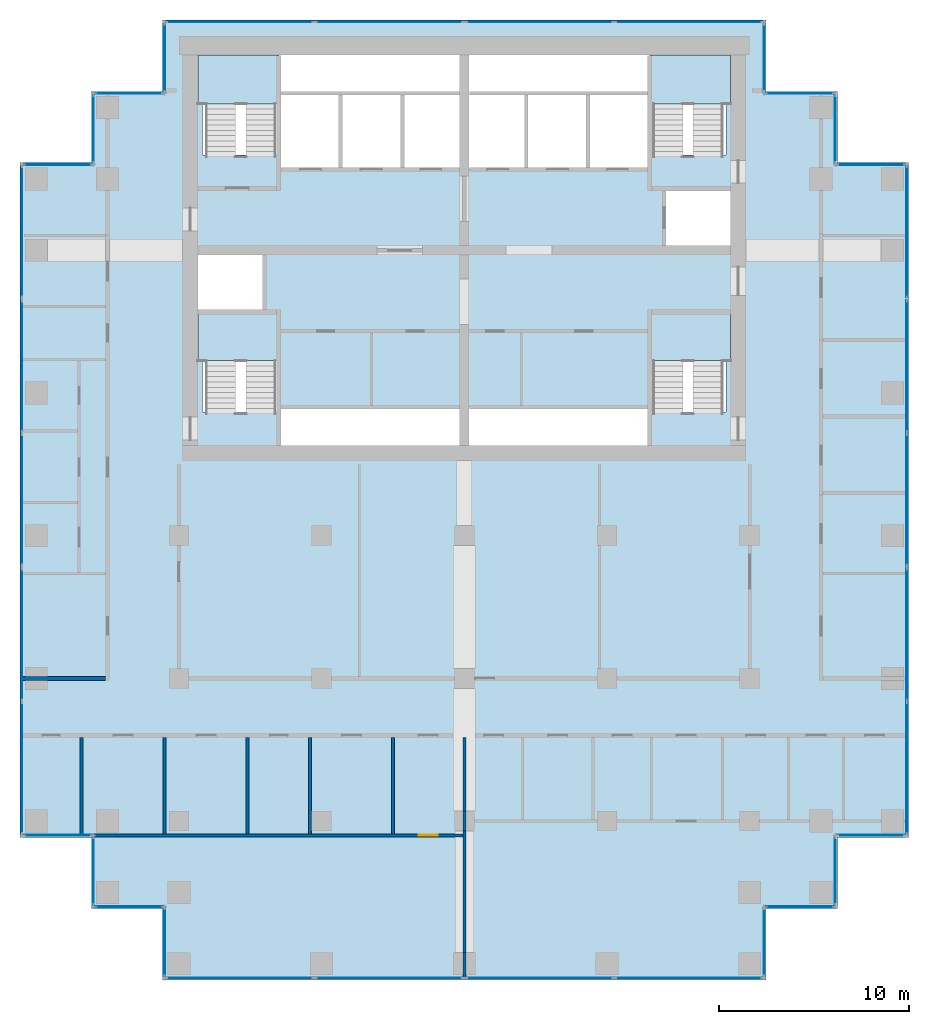
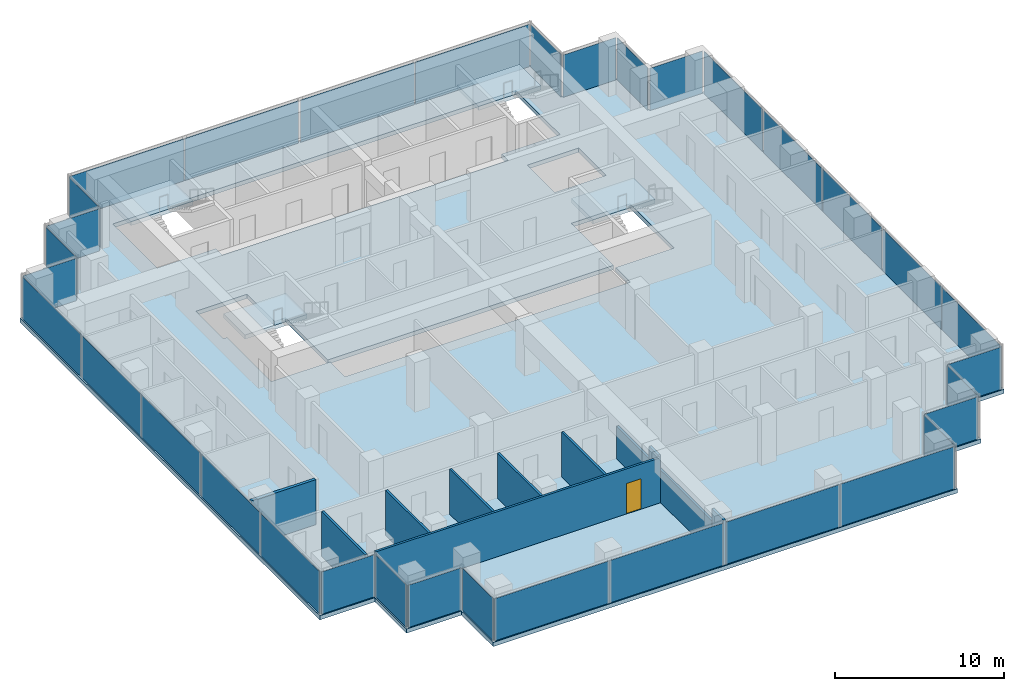
# One storey, part 6 of 10: 34 plates, 11 walls, 5 slabs, 1 door, 1 opening, 30 elements without a shape of their own.
"""IFC4 building model written with IfcOpenShell, lengths in metres."""

from ifc_helpers import new_model, si_unit, direction, frame, frame_2d, origin, origin_2d, place, context, subcontext, project, spatial, polyline, rectangle, outline, extrude, material, layer, layer_set, type_object, element, fill, aggregate, save


model = new_model("IFC4")

# Units and contexts
model_context = context("Model", 3, precision=1e-05, world=origin(), true_north=direction((0.0, 1.0)))
body_context = subcontext(model_context, "Body", "Model", "MODEL_VIEW")
ifc_project = project(units=[si_unit("LENGTHUNIT", "METRE"), si_unit("AREAUNIT", "SQUARE_METRE"), si_unit("VOLUMEUNIT", "CUBIC_METRE"), si_unit("PLANEANGLEUNIT", "RADIAN"), si_unit("MASSUNIT", "GRAM", prefix="KILO")], contexts=[model_context])

# Site, building, storey
site_placement = place(None, origin())
site = spatial("IfcSite", under=ifc_project, at=site_placement, CompositionType="ELEMENT")
building_placement = place(site_placement, origin())
building = spatial("IfcBuilding", under=site, at=building_placement, Name="Pilkhan Gate Tower", CompositionType="ELEMENT")
storey_placement = place(building_placement, frame((0.0, 0.0, 180.10009765625)))
storey = spatial("IfcBuildingStorey", under=building, at=storey_placement, Name="L46", CompositionType="ELEMENT", Elevation=180.10009765625)

# Slab
ifc_material_1 = material(Name="Concrete C40/50", Category="concrete")
ifc_layer_1 = layer(ifc_material_1, 0.300048828125)
ifc_layer_set_1 = layer_set([ifc_layer_1], Name="Flat plate slab FP300")
slab_type_1 = type_object("IfcSlabType", Name="Flat plate slab FP300", PredefinedType="FLOOR", material=ifc_layer_set_1)
slab_1_placement = place(storey_placement, frame((0.0, 0.0, -0.300048828125)))
element("IfcSlab", 1, at=slab_1_placement, inside=storey, type_object=slab_type_1, Name="Floor slab L46", PredefinedType="FLOOR", context=body_context, shape_type="SweptSolid", body=[
    extrude(outline(polyline([(94.60009765625, 47.89990234375), (90.85009765625, 47.89990234375), (90.85009765625, 44.14990234375), (59.14990234375, 44.14990234375), (59.14990234375, 47.89990234375), (55.39990234375, 47.89990234375), (55.39990234375, 51.64990234375), (51.64990234375, 51.64990234375), (51.64990234375, 87.10009765625), (55.39990234375, 87.10009765625), (55.39990234375, 90.85009765625), (59.14990234375, 90.85009765625), (59.14990234375, 94.60009765625), (90.85009765625, 94.60009765625), (90.85009765625, 90.85009765625), (94.60009765625, 90.85009765625), (94.60009765625, 87.10009765625), (98.35009765625, 87.10009765625), (98.35009765625, 51.64990234375), (94.60009765625, 51.64990234375), (94.60009765625, 47.89990234375)]), holes=[polyline([(75.0, 72.25), (84.75, 72.25), (84.75, 74.0), (88.75, 74.0), (88.75, 79.25), (84.75, 79.25), (84.75, 74.25), (75.0, 74.25), (65.25, 74.25), (65.25, 79.25), (64.5, 79.25), (64.5, 82.5), (61.25, 82.5), (61.0, 82.5), (61.0, 79.25), (61.25, 79.25), (61.25, 74.0), (65.25, 74.0), (65.25, 72.25), (75.0, 72.25)]), polyline([(68.5, 86.75), (71.75, 86.75), (75.0, 86.75), (78.25, 86.75), (81.5, 86.75), (84.75, 86.75), (84.75, 87.5), (88.75, 87.5), (88.75, 92.75), (84.75, 92.75), (75.0, 92.75), (65.25, 92.75), (61.25, 92.75), (61.25, 87.5), (65.25, 87.5), (65.25, 86.75), (68.5, 86.75)]), polyline([(85.5, 85.75), (85.5, 82.5), (88.75, 82.5), (89.0, 82.5), (89.0, 85.75), (88.75, 85.75), (85.5, 85.75)])]), origin(), (0.0, 0.0, 1.0), 0.300048828125),
])

# Curtain wall, plates
ifc_material_2 = material(Name="Pale anodised aluminium, clear low-iron double glazing", Category="aluminium")
curtain_wall_type = type_object("IfcCurtainWallType", Name="Office unitised curtain wall CW-O1", PredefinedType="USERDEFINED", material=ifc_material_2)
curtain_wall_1_placement = place(storey_placement, origin())
curtain_wall_1 = element("IfcCurtainWall", 2, at=curtain_wall_1_placement, inside=storey, type_object=curtain_wall_type, Name="Office unitised curtain wall CW-O1 L46 E", ObjectType="UNITISED CURTAIN WALL", PredefinedType="USERDEFINED")
ifc_material_3 = material(Name="Clear low-iron double glazing", Category="glass")
ifc_layer_2 = layer(ifc_material_3, 0.0400390625)
ifc_layer_set_2 = layer_set([ifc_layer_2], Name="Glass panel CW-O1 40")
plate_type = type_object("IfcPlateType", Name="Glass panel CW-O1 40", PredefinedType="CURTAIN_PANEL", material=ifc_layer_set_2)
plate_1_placement = place(storey_placement, frame((98.25, 55.29248046875, 0.0), z_axis=(0.0, 0.0, 1.0), x_axis=(0.0, 1.0, 0.0)))
plate_1 = element("IfcPlate", 3, at=plate_1_placement, type_object=plate_type, Name="CW-O1 panel 1", PredefinedType="CURTAIN_PANEL", context=body_context, shape_type="SweptSolid", body=[
    extrude(rectangle(XDim=6.945068359375, YDim=0.0400390625, at=origin_2d()), origin(), (0.0, 0.0, 1.0), 3.050048828125),
])
plate_2_placement = place(storey_placement, frame((98.25, 62.3076171875, 0.0), z_axis=(0.0, 0.0, 1.0), x_axis=(0.0, 1.0, 0.0)))
plate_2 = element("IfcPlate", 4, at=plate_2_placement, type_object=plate_type, Name="CW-O1 panel 2", PredefinedType="CURTAIN_PANEL", context=body_context, shape_type="SweptSolid", body=[
    extrude(rectangle(XDim=6.945068359375, YDim=0.0400390625, at=origin_2d()), origin(), (0.0, 0.0, 1.0), 3.050048828125),
])
aggregate(curtain_wall_1, [plate_1, plate_2])

curtain_wall_2_placement = place(storey_placement, origin())
curtain_wall_2 = element("IfcCurtainWall", 5, at=curtain_wall_2_placement, inside=storey, type_object=curtain_wall_type, Name="Office unitised curtain wall CW-O1 L46 E", ObjectType="UNITISED CURTAIN WALL", PredefinedType="USERDEFINED")
plate_3_placement = place(storey_placement, frame((98.25, 69.392578125, 0.0), z_axis=(0.0, 0.0, 1.0), x_axis=(0.0, 1.0, 0.0)))
plate_3 = element("IfcPlate", 6, at=plate_3_placement, type_object=plate_type, Name="CW-O1 panel 1", PredefinedType="CURTAIN_PANEL", context=body_context, shape_type="SweptSolid", body=[
    extrude(rectangle(XDim=6.945068359375, YDim=0.0400390625, at=origin_2d()), origin(), (0.0, 0.0, 1.0), 3.050048828125),
])
plate_4_placement = place(storey_placement, frame((98.25, 76.407470703125, 0.0), z_axis=(0.0, 0.0, 1.0), x_axis=(0.0, 1.0, 0.0)))
plate_4 = element("IfcPlate", 7, at=plate_4_placement, type_object=plate_type, Name="CW-O1 panel 2", PredefinedType="CURTAIN_PANEL", context=body_context, shape_type="SweptSolid", body=[
    extrude(rectangle(XDim=6.945068359375, YDim=0.0400390625, at=origin_2d()), origin(), (0.0, 0.0, 1.0), 3.050048828125),
])
aggregate(curtain_wall_2, [plate_3, plate_4])

# Curtain wall, plate
curtain_wall_3_placement = place(storey_placement, origin())
curtain_wall_3 = element("IfcCurtainWall", 8, at=curtain_wall_3_placement, inside=storey, type_object=curtain_wall_type, Name="Office unitised curtain wall CW-O1 L46 E", ObjectType="UNITISED CURTAIN WALL", PredefinedType="USERDEFINED")
plate_5_placement = place(storey_placement, frame((98.25, 83.47509765625, 0.0), z_axis=(0.0, 0.0, 1.0), x_axis=(0.0, 1.0, 0.0)))
plate_5 = element("IfcPlate", 9, at=plate_5_placement, type_object=plate_type, Name="CW-O1 panel 1", PredefinedType="CURTAIN_PANEL", context=body_context, shape_type="SweptSolid", body=[
    extrude(rectangle(XDim=6.909912109375, YDim=0.0400390625, at=origin_2d()), origin(), (0.0, 0.0, 1.0), 3.050048828125),
])
aggregate(curtain_wall_3, [plate_5])

curtain_wall_4_placement = place(storey_placement, origin())
curtain_wall_4 = element("IfcCurtainWall", 10, at=curtain_wall_4_placement, inside=storey, type_object=curtain_wall_type, Name="Office unitised curtain wall CW-O1 L46 N", ObjectType="UNITISED CURTAIN WALL", PredefinedType="USERDEFINED")
plate_6_placement = place(storey_placement, frame((96.375, 87.0, 0.0), z_axis=(0.0, 0.0, 1.0), x_axis=(1.0, 0.0, 0.0)))
plate_6 = element("IfcPlate", 11, at=plate_6_placement, type_object=plate_type, Name="CW-O1 panel 1", PredefinedType="CURTAIN_PANEL", context=body_context, shape_type="SweptSolid", body=[
    extrude(rectangle(XDim=3.610107421875, YDim=0.0400390625, at=origin_2d()), origin(), (0.0, 0.0, 1.0), 3.050048828125),
])
aggregate(curtain_wall_4, [plate_6])

curtain_wall_5_placement = place(storey_placement, origin())
curtain_wall_5 = element("IfcCurtainWall", 12, at=curtain_wall_5_placement, inside=storey, type_object=curtain_wall_type, Name="Office unitised curtain wall CW-O1 L46 E", ObjectType="UNITISED CURTAIN WALL", PredefinedType="USERDEFINED")
plate_7_placement = place(storey_placement, frame((94.5, 88.875, 0.0), z_axis=(0.0, 0.0, 1.0), x_axis=(0.0, 1.0, 0.0)))
plate_7 = element("IfcPlate", 13, at=plate_7_placement, type_object=plate_type, Name="CW-O1 panel 1", PredefinedType="CURTAIN_PANEL", context=body_context, shape_type="SweptSolid", body=[
    extrude(rectangle(XDim=3.610107421875, YDim=0.0400390625, at=origin_2d()), origin(), (0.0, 0.0, 1.0), 3.050048828125),
])
aggregate(curtain_wall_5, [plate_7])

curtain_wall_6_placement = place(storey_placement, origin())
curtain_wall_6 = element("IfcCurtainWall", 14, at=curtain_wall_6_placement, inside=storey, type_object=curtain_wall_type, Name="Office unitised curtain wall CW-O1 L46 N", ObjectType="UNITISED CURTAIN WALL", PredefinedType="USERDEFINED")
plate_8_placement = place(storey_placement, frame((92.625, 90.75, 0.0), z_axis=(0.0, 0.0, 1.0), x_axis=(1.0, 0.0, 0.0)))
plate_8 = element("IfcPlate", 15, at=plate_8_placement, type_object=plate_type, Name="CW-O1 panel 1", PredefinedType="CURTAIN_PANEL", context=body_context, shape_type="SweptSolid", body=[
    extrude(rectangle(XDim=3.610107421875, YDim=0.0400390625, at=origin_2d()), origin(), (0.0, 0.0, 1.0), 3.050048828125),
])
aggregate(curtain_wall_6, [plate_8])

curtain_wall_7_placement = place(storey_placement, origin())
curtain_wall_7 = element("IfcCurtainWall", 16, at=curtain_wall_7_placement, inside=storey, type_object=curtain_wall_type, Name="Office unitised curtain wall CW-O1 L46 E", ObjectType="UNITISED CURTAIN WALL", PredefinedType="USERDEFINED")
plate_9_placement = place(storey_placement, frame((90.75, 92.625, 0.0), z_axis=(0.0, 0.0, 1.0), x_axis=(0.0, 1.0, 0.0)))
plate_9 = element("IfcPlate", 17, at=plate_9_placement, type_object=plate_type, Name="CW-O1 panel 1", PredefinedType="CURTAIN_PANEL", context=body_context, shape_type="SweptSolid", body=[
    extrude(rectangle(XDim=3.610107421875, YDim=0.0400390625, at=origin_2d()), origin(), (0.0, 0.0, 1.0), 3.050048828125),
])
aggregate(curtain_wall_7, [plate_9])

# Curtain wall, plates
curtain_wall_8_placement = place(storey_placement, origin())
curtain_wall_8 = element("IfcCurtainWall", 18, at=curtain_wall_8_placement, inside=storey, type_object=curtain_wall_type, Name="Office unitised curtain wall CW-O1 L46 N", ObjectType="UNITISED CURTAIN WALL", PredefinedType="USERDEFINED")
plate_10_placement = place(storey_placement, frame((63.205078125, 94.5, 0.0), z_axis=(0.0, 0.0, 1.0), x_axis=(1.0, 0.0, 0.0)))
plate_10 = element("IfcPlate", 19, at=plate_10_placement, type_object=plate_type, Name="CW-O1 panel 1", PredefinedType="CURTAIN_PANEL", context=body_context, shape_type="SweptSolid", body=[
    extrude(rectangle(XDim=7.77001953125, YDim=0.0400390625, at=origin_2d()), origin(), (0.0, 0.0, 1.0), 3.050048828125),
])
plate_11_placement = place(storey_placement, frame((71.044921875, 94.5, 0.0), z_axis=(0.0, 0.0, 1.0), x_axis=(1.0, 0.0, 0.0)))
plate_11 = element("IfcPlate", 20, at=plate_11_placement, type_object=plate_type, Name="CW-O1 panel 2", PredefinedType="CURTAIN_PANEL", context=body_context, shape_type="SweptSolid", body=[
    extrude(rectangle(XDim=7.77001953125, YDim=0.0400390625, at=origin_2d()), origin(), (0.0, 0.0, 1.0), 3.050048828125),
])
aggregate(curtain_wall_8, [plate_10, plate_11])

curtain_wall_9_placement = place(storey_placement, origin())
curtain_wall_9 = element("IfcCurtainWall", 21, at=curtain_wall_9_placement, inside=storey, type_object=curtain_wall_type, Name="Office unitised curtain wall CW-O1 L46 N", ObjectType="UNITISED CURTAIN WALL", PredefinedType="USERDEFINED")
plate_12_placement = place(storey_placement, frame((78.955078125, 94.5, 0.0), z_axis=(0.0, 0.0, 1.0), x_axis=(1.0, 0.0, 0.0)))
plate_12 = element("IfcPlate", 22, at=plate_12_placement, type_object=plate_type, Name="CW-O1 panel 1", PredefinedType="CURTAIN_PANEL", context=body_context, shape_type="SweptSolid", body=[
    extrude(rectangle(XDim=7.77001953125, YDim=0.0400390625, at=origin_2d()), origin(), (0.0, 0.0, 1.0), 3.050048828125),
])
plate_13_placement = place(storey_placement, frame((86.794921875, 94.5, 0.0), z_axis=(0.0, 0.0, 1.0), x_axis=(1.0, 0.0, 0.0)))
plate_13 = element("IfcPlate", 23, at=plate_13_placement, type_object=plate_type, Name="CW-O1 panel 2", PredefinedType="CURTAIN_PANEL", context=body_context, shape_type="SweptSolid", body=[
    extrude(rectangle(XDim=7.77001953125, YDim=0.0400390625, at=origin_2d()), origin(), (0.0, 0.0, 1.0), 3.050048828125),
])
aggregate(curtain_wall_9, [plate_12, plate_13])

# Curtain wall, plate
curtain_wall_10_placement = place(storey_placement, origin())
curtain_wall_10 = element("IfcCurtainWall", 24, at=curtain_wall_10_placement, inside=storey, type_object=curtain_wall_type, Name="Office unitised curtain wall CW-O1 L46 W", ObjectType="UNITISED CURTAIN WALL", PredefinedType="USERDEFINED")
plate_14_placement = place(storey_placement, frame((59.25, 92.625, 0.0), z_axis=(0.0, 0.0, 1.0), x_axis=(0.0, 1.0, 0.0)))
plate_14 = element("IfcPlate", 25, at=plate_14_placement, type_object=plate_type, Name="CW-O1 panel 1", PredefinedType="CURTAIN_PANEL", context=body_context, shape_type="SweptSolid", body=[
    extrude(rectangle(XDim=3.610107421875, YDim=0.0400390625, at=origin_2d()), origin(), (0.0, 0.0, 1.0), 3.050048828125),
])
aggregate(curtain_wall_10, [plate_14])

curtain_wall_11_placement = place(storey_placement, origin())
curtain_wall_11 = element("IfcCurtainWall", 26, at=curtain_wall_11_placement, inside=storey, type_object=curtain_wall_type, Name="Office unitised curtain wall CW-O1 L46 N", ObjectType="UNITISED CURTAIN WALL", PredefinedType="USERDEFINED")
plate_15_placement = place(storey_placement, frame((57.375, 90.75, 0.0), z_axis=(0.0, 0.0, 1.0), x_axis=(1.0, 0.0, 0.0)))
plate_15 = element("IfcPlate", 27, at=plate_15_placement, type_object=plate_type, Name="CW-O1 panel 1", PredefinedType="CURTAIN_PANEL", context=body_context, shape_type="SweptSolid", body=[
    extrude(rectangle(XDim=3.610107421875, YDim=0.0400390625, at=origin_2d()), origin(), (0.0, 0.0, 1.0), 3.050048828125),
])
aggregate(curtain_wall_11, [plate_15])

curtain_wall_12_placement = place(storey_placement, origin())
curtain_wall_12 = element("IfcCurtainWall", 28, at=curtain_wall_12_placement, inside=storey, type_object=curtain_wall_type, Name="Office unitised curtain wall CW-O1 L46 W", ObjectType="UNITISED CURTAIN WALL", PredefinedType="USERDEFINED")
plate_16_placement = place(storey_placement, frame((55.5, 88.875, 0.0), z_axis=(0.0, 0.0, 1.0), x_axis=(0.0, 1.0, 0.0)))
plate_16 = element("IfcPlate", 29, at=plate_16_placement, type_object=plate_type, Name="CW-O1 panel 1", PredefinedType="CURTAIN_PANEL", context=body_context, shape_type="SweptSolid", body=[
    extrude(rectangle(XDim=3.610107421875, YDim=0.0400390625, at=origin_2d()), origin(), (0.0, 0.0, 1.0), 3.050048828125),
])
aggregate(curtain_wall_12, [plate_16])

curtain_wall_13_placement = place(storey_placement, origin())
curtain_wall_13 = element("IfcCurtainWall", 30, at=curtain_wall_13_placement, inside=storey, type_object=curtain_wall_type, Name="Office unitised curtain wall CW-O1 L46 N", ObjectType="UNITISED CURTAIN WALL", PredefinedType="USERDEFINED")
plate_17_placement = place(storey_placement, frame((53.625, 87.0, 0.0), z_axis=(0.0, 0.0, 1.0), x_axis=(1.0, 0.0, 0.0)))
plate_17 = element("IfcPlate", 31, at=plate_17_placement, type_object=plate_type, Name="CW-O1 panel 1", PredefinedType="CURTAIN_PANEL", context=body_context, shape_type="SweptSolid", body=[
    extrude(rectangle(XDim=3.610107421875, YDim=0.0400390625, at=origin_2d()), origin(), (0.0, 0.0, 1.0), 3.050048828125),
])
aggregate(curtain_wall_13, [plate_17])

# Curtain wall, plates
curtain_wall_14_placement = place(storey_placement, origin())
curtain_wall_14 = element("IfcCurtainWall", 32, at=curtain_wall_14_placement, inside=storey, type_object=curtain_wall_type, Name="Office unitised curtain wall CW-O1 L46 W", ObjectType="UNITISED CURTAIN WALL", PredefinedType="USERDEFINED")
plate_18_placement = place(storey_placement, frame((51.75, 55.29248046875, 0.0), z_axis=(0.0, 0.0, 1.0), x_axis=(0.0, 1.0, 0.0)))
plate_18 = element("IfcPlate", 33, at=plate_18_placement, type_object=plate_type, Name="CW-O1 panel 1", PredefinedType="CURTAIN_PANEL", context=body_context, shape_type="SweptSolid", body=[
    extrude(rectangle(XDim=6.945068359375, YDim=0.0400390625, at=origin_2d()), origin(), (0.0, 0.0, 1.0), 3.050048828125),
])
plate_19_placement = place(storey_placement, frame((51.75, 62.3076171875, 0.0), z_axis=(0.0, 0.0, 1.0), x_axis=(0.0, 1.0, 0.0)))
plate_19 = element("IfcPlate", 34, at=plate_19_placement, type_object=plate_type, Name="CW-O1 panel 2", PredefinedType="CURTAIN_PANEL", context=body_context, shape_type="SweptSolid", body=[
    extrude(rectangle(XDim=6.945068359375, YDim=0.0400390625, at=origin_2d()), origin(), (0.0, 0.0, 1.0), 3.050048828125),
])
aggregate(curtain_wall_14, [plate_18, plate_19])

curtain_wall_15_placement = place(storey_placement, origin())
curtain_wall_15 = element("IfcCurtainWall", 35, at=curtain_wall_15_placement, inside=storey, type_object=curtain_wall_type, Name="Office unitised curtain wall CW-O1 L46 W", ObjectType="UNITISED CURTAIN WALL", PredefinedType="USERDEFINED")
plate_20_placement = place(storey_placement, frame((51.75, 69.392578125, 0.0), z_axis=(0.0, 0.0, 1.0), x_axis=(0.0, 1.0, 0.0)))
plate_20 = element("IfcPlate", 36, at=plate_20_placement, type_object=plate_type, Name="CW-O1 panel 1", PredefinedType="CURTAIN_PANEL", context=body_context, shape_type="SweptSolid", body=[
    extrude(rectangle(XDim=6.945068359375, YDim=0.0400390625, at=origin_2d()), origin(), (0.0, 0.0, 1.0), 3.050048828125),
])
plate_21_placement = place(storey_placement, frame((51.75, 76.407470703125, 0.0), z_axis=(0.0, 0.0, 1.0), x_axis=(0.0, 1.0, 0.0)))
plate_21 = element("IfcPlate", 37, at=plate_21_placement, type_object=plate_type, Name="CW-O1 panel 2", PredefinedType="CURTAIN_PANEL", context=body_context, shape_type="SweptSolid", body=[
    extrude(rectangle(XDim=6.945068359375, YDim=0.0400390625, at=origin_2d()), origin(), (0.0, 0.0, 1.0), 3.050048828125),
])
aggregate(curtain_wall_15, [plate_20, plate_21])

# Curtain wall, plate
curtain_wall_16_placement = place(storey_placement, origin())
curtain_wall_16 = element("IfcCurtainWall", 38, at=curtain_wall_16_placement, inside=storey, type_object=curtain_wall_type, Name="Office unitised curtain wall CW-O1 L46 W", ObjectType="UNITISED CURTAIN WALL", PredefinedType="USERDEFINED")
plate_22_placement = place(storey_placement, frame((51.75, 83.47509765625, 0.0), z_axis=(0.0, 0.0, 1.0), x_axis=(0.0, 1.0, 0.0)))
plate_22 = element("IfcPlate", 39, at=plate_22_placement, type_object=plate_type, Name="CW-O1 panel 1", PredefinedType="CURTAIN_PANEL", context=body_context, shape_type="SweptSolid", body=[
    extrude(rectangle(XDim=6.909912109375, YDim=0.0400390625, at=origin_2d()), origin(), (0.0, 0.0, 1.0), 3.050048828125),
])
aggregate(curtain_wall_16, [plate_22])

curtain_wall_17_placement = place(storey_placement, origin())
curtain_wall_17 = element("IfcCurtainWall", 40, at=curtain_wall_17_placement, inside=storey, type_object=curtain_wall_type, Name="Office unitised curtain wall CW-O1 L46 S", ObjectType="UNITISED CURTAIN WALL", PredefinedType="USERDEFINED")
plate_23_placement = place(storey_placement, frame((53.625, 51.75, 0.0), z_axis=(0.0, 0.0, 1.0), x_axis=(1.0, 0.0, 0.0)))
plate_23 = element("IfcPlate", 41, at=plate_23_placement, type_object=plate_type, Name="CW-O1 panel 1", PredefinedType="CURTAIN_PANEL", context=body_context, shape_type="SweptSolid", body=[
    extrude(rectangle(XDim=3.610107421875, YDim=0.0400390625, at=origin_2d()), origin(), (0.0, 0.0, 1.0), 3.050048828125),
])
aggregate(curtain_wall_17, [plate_23])

curtain_wall_18_placement = place(storey_placement, origin())
curtain_wall_18 = element("IfcCurtainWall", 42, at=curtain_wall_18_placement, inside=storey, type_object=curtain_wall_type, Name="Office unitised curtain wall CW-O1 L46 W", ObjectType="UNITISED CURTAIN WALL", PredefinedType="USERDEFINED")
plate_24_placement = place(storey_placement, frame((55.5, 49.875, 0.0), z_axis=(0.0, 0.0, 1.0), x_axis=(0.0, 1.0, 0.0)))
plate_24 = element("IfcPlate", 43, at=plate_24_placement, type_object=plate_type, Name="CW-O1 panel 1", PredefinedType="CURTAIN_PANEL", context=body_context, shape_type="SweptSolid", body=[
    extrude(rectangle(XDim=3.610107421875, YDim=0.0400390625, at=origin_2d()), origin(), (0.0, 0.0, 1.0), 3.050048828125),
])
aggregate(curtain_wall_18, [plate_24])

curtain_wall_19_placement = place(storey_placement, origin())
curtain_wall_19 = element("IfcCurtainWall", 44, at=curtain_wall_19_placement, inside=storey, type_object=curtain_wall_type, Name="Office unitised curtain wall CW-O1 L46 S", ObjectType="UNITISED CURTAIN WALL", PredefinedType="USERDEFINED")
plate_25_placement = place(storey_placement, frame((57.375, 48.0, 0.0), z_axis=(0.0, 0.0, 1.0), x_axis=(1.0, 0.0, 0.0)))
plate_25 = element("IfcPlate", 45, at=plate_25_placement, type_object=plate_type, Name="CW-O1 panel 1", PredefinedType="CURTAIN_PANEL", context=body_context, shape_type="SweptSolid", body=[
    extrude(rectangle(XDim=3.610107421875, YDim=0.0400390625, at=origin_2d()), origin(), (0.0, 0.0, 1.0), 3.050048828125),
])
aggregate(curtain_wall_19, [plate_25])

curtain_wall_20_placement = place(storey_placement, origin())
curtain_wall_20 = element("IfcCurtainWall", 46, at=curtain_wall_20_placement, inside=storey, type_object=curtain_wall_type, Name="Office unitised curtain wall CW-O1 L46 W", ObjectType="UNITISED CURTAIN WALL", PredefinedType="USERDEFINED")
plate_26_placement = place(storey_placement, frame((59.25, 46.125, 0.0), z_axis=(0.0, 0.0, 1.0), x_axis=(0.0, 1.0, 0.0)))
plate_26 = element("IfcPlate", 47, at=plate_26_placement, type_object=plate_type, Name="CW-O1 panel 1", PredefinedType="CURTAIN_PANEL", context=body_context, shape_type="SweptSolid", body=[
    extrude(rectangle(XDim=3.610107421875, YDim=0.0400390625, at=origin_2d()), origin(), (0.0, 0.0, 1.0), 3.050048828125),
])
aggregate(curtain_wall_20, [plate_26])

# Curtain wall, plates
curtain_wall_21_placement = place(storey_placement, origin())
curtain_wall_21 = element("IfcCurtainWall", 48, at=curtain_wall_21_placement, inside=storey, type_object=curtain_wall_type, Name="Office unitised curtain wall CW-O1 L46 S", ObjectType="UNITISED CURTAIN WALL", PredefinedType="USERDEFINED")
plate_27_placement = place(storey_placement, frame((63.205078125, 44.25, 0.0), z_axis=(0.0, 0.0, 1.0), x_axis=(1.0, 0.0, 0.0)))
plate_27 = element("IfcPlate", 49, at=plate_27_placement, type_object=plate_type, Name="CW-O1 panel 1", PredefinedType="CURTAIN_PANEL", context=body_context, shape_type="SweptSolid", body=[
    extrude(rectangle(XDim=7.77001953125, YDim=0.0400390625, at=origin_2d()), origin(), (0.0, 0.0, 1.0), 3.050048828125),
])
plate_28_placement = place(storey_placement, frame((71.044921875, 44.25, 0.0), z_axis=(0.0, 0.0, 1.0), x_axis=(1.0, 0.0, 0.0)))
plate_28 = element("IfcPlate", 50, at=plate_28_placement, type_object=plate_type, Name="CW-O1 panel 2", PredefinedType="CURTAIN_PANEL", context=body_context, shape_type="SweptSolid", body=[
    extrude(rectangle(XDim=7.77001953125, YDim=0.0400390625, at=origin_2d()), origin(), (0.0, 0.0, 1.0), 3.050048828125),
])
aggregate(curtain_wall_21, [plate_27, plate_28])

curtain_wall_22_placement = place(storey_placement, origin())
curtain_wall_22 = element("IfcCurtainWall", 51, at=curtain_wall_22_placement, inside=storey, type_object=curtain_wall_type, Name="Office unitised curtain wall CW-O1 L46 S", ObjectType="UNITISED CURTAIN WALL", PredefinedType="USERDEFINED")
plate_29_placement = place(storey_placement, frame((78.955078125, 44.25, 0.0), z_axis=(0.0, 0.0, 1.0), x_axis=(1.0, 0.0, 0.0)))
plate_29 = element("IfcPlate", 52, at=plate_29_placement, type_object=plate_type, Name="CW-O1 panel 1", PredefinedType="CURTAIN_PANEL", context=body_context, shape_type="SweptSolid", body=[
    extrude(rectangle(XDim=7.77001953125, YDim=0.0400390625, at=origin_2d()), origin(), (0.0, 0.0, 1.0), 3.050048828125),
])
plate_30_placement = place(storey_placement, frame((86.794921875, 44.25, 0.0), z_axis=(0.0, 0.0, 1.0), x_axis=(1.0, 0.0, 0.0)))
plate_30 = element("IfcPlate", 53, at=plate_30_placement, type_object=plate_type, Name="CW-O1 panel 2", PredefinedType="CURTAIN_PANEL", context=body_context, shape_type="SweptSolid", body=[
    extrude(rectangle(XDim=7.77001953125, YDim=0.0400390625, at=origin_2d()), origin(), (0.0, 0.0, 1.0), 3.050048828125),
])
aggregate(curtain_wall_22, [plate_29, plate_30])

# Curtain wall, plate
curtain_wall_23_placement = place(storey_placement, origin())
curtain_wall_23 = element("IfcCurtainWall", 54, at=curtain_wall_23_placement, inside=storey, type_object=curtain_wall_type, Name="Office unitised curtain wall CW-O1 L46 E", ObjectType="UNITISED CURTAIN WALL", PredefinedType="USERDEFINED")
plate_31_placement = place(storey_placement, frame((90.75, 46.125, 0.0), z_axis=(0.0, 0.0, 1.0), x_axis=(0.0, 1.0, 0.0)))
plate_31 = element("IfcPlate", 55, at=plate_31_placement, type_object=plate_type, Name="CW-O1 panel 1", PredefinedType="CURTAIN_PANEL", context=body_context, shape_type="SweptSolid", body=[
    extrude(rectangle(XDim=3.610107421875, YDim=0.0400390625, at=origin_2d()), origin(), (0.0, 0.0, 1.0), 3.050048828125),
])
aggregate(curtain_wall_23, [plate_31])

curtain_wall_24_placement = place(storey_placement, origin())
curtain_wall_24 = element("IfcCurtainWall", 56, at=curtain_wall_24_placement, inside=storey, type_object=curtain_wall_type, Name="Office unitised curtain wall CW-O1 L46 S", ObjectType="UNITISED CURTAIN WALL", PredefinedType="USERDEFINED")
plate_32_placement = place(storey_placement, frame((92.625, 48.0, 0.0), z_axis=(0.0, 0.0, 1.0), x_axis=(1.0, 0.0, 0.0)))
plate_32 = element("IfcPlate", 57, at=plate_32_placement, type_object=plate_type, Name="CW-O1 panel 1", PredefinedType="CURTAIN_PANEL", context=body_context, shape_type="SweptSolid", body=[
    extrude(rectangle(XDim=3.610107421875, YDim=0.0400390625, at=origin_2d()), origin(), (0.0, 0.0, 1.0), 3.050048828125),
])
aggregate(curtain_wall_24, [plate_32])

curtain_wall_25_placement = place(storey_placement, origin())
curtain_wall_25 = element("IfcCurtainWall", 58, at=curtain_wall_25_placement, inside=storey, type_object=curtain_wall_type, Name="Office unitised curtain wall CW-O1 L46 E", ObjectType="UNITISED CURTAIN WALL", PredefinedType="USERDEFINED")
plate_33_placement = place(storey_placement, frame((94.5, 49.875, 0.0), z_axis=(0.0, 0.0, 1.0), x_axis=(0.0, 1.0, 0.0)))
plate_33 = element("IfcPlate", 59, at=plate_33_placement, type_object=plate_type, Name="CW-O1 panel 1", PredefinedType="CURTAIN_PANEL", context=body_context, shape_type="SweptSolid", body=[
    extrude(rectangle(XDim=3.610107421875, YDim=0.0400390625, at=origin_2d()), origin(), (0.0, 0.0, 1.0), 3.050048828125),
])
aggregate(curtain_wall_25, [plate_33])

curtain_wall_26_placement = place(storey_placement, origin())
curtain_wall_26 = element("IfcCurtainWall", 60, at=curtain_wall_26_placement, inside=storey, type_object=curtain_wall_type, Name="Office unitised curtain wall CW-O1 L46 S", ObjectType="UNITISED CURTAIN WALL", PredefinedType="USERDEFINED")
plate_34_placement = place(storey_placement, frame((96.375, 51.75, 0.0), z_axis=(0.0, 0.0, 1.0), x_axis=(1.0, 0.0, 0.0)))
plate_34 = element("IfcPlate", 61, at=plate_34_placement, type_object=plate_type, Name="CW-O1 panel 1", PredefinedType="CURTAIN_PANEL", context=body_context, shape_type="SweptSolid", body=[
    extrude(rectangle(XDim=3.610107421875, YDim=0.0400390625, at=origin_2d()), origin(), (0.0, 0.0, 1.0), 3.050048828125),
])
aggregate(curtain_wall_26, [plate_34])

# Stair, slab
ifc_material_4 = material(Name="Concrete C40/50 precast", Category="concrete")
stair_type_1 = type_object("IfcStairType", Name="Stair ST1 164x280", PredefinedType="HALF_TURN_STAIR", material=ifc_material_4)
stair_1_placement = place(storey_placement, origin())
stair_1 = element("IfcStair", 62, at=stair_1_placement, inside=storey, type_object=stair_type_1, Name="Stair ST1 L46", PredefinedType="HALF_TURN_STAIR")
ifc_layer_3 = layer(ifc_material_1, 0.199951171875)
ifc_layer_set_3 = layer_set([ifc_layer_3], Name="Stair landing SL200")
slab_type_2 = type_object("IfcSlabType", Name="Stair landing SL200", PredefinedType="LANDING", material=ifc_layer_set_3)
slab_2_placement = place(storey_placement, frame((0.0, 0.0, 1.5)))
slab_2 = element("IfcSlab", 63, at=slab_2_placement, type_object=slab_type_2, Name="ST1 landing 1", PredefinedType="LANDING", context=body_context, shape_type="SweptSolid", body=[
    extrude(outline(polyline([(89.0, 76.699951171875), (89.0, 79.25), (84.75, 79.25), (84.75, 76.699951171875), (89.0, 76.699951171875)])), origin(), (0.0, 0.0, 1.0), 0.2998046875),
])
aggregate(stair_1, [slab_2])

stair_type_2 = type_object("IfcStairType", Name="Stair ST2 164x280", PredefinedType="HALF_TURN_STAIR", material=ifc_material_4)
stair_2_placement = place(storey_placement, origin())
stair_2 = element("IfcStair", 64, at=stair_2_placement, inside=storey, type_object=stair_type_2, Name="Stair ST2 L46", PredefinedType="HALF_TURN_STAIR")
slab_3_placement = place(storey_placement, frame((0.0, 0.0, 1.5)))
slab_3 = element("IfcSlab", 65, at=slab_3_placement, type_object=slab_type_2, Name="ST2 landing 1", PredefinedType="LANDING", context=body_context, shape_type="SweptSolid", body=[
    extrude(outline(polyline([(65.25, 76.699951171875), (65.25, 79.25), (61.0, 79.25), (61.0, 76.699951171875), (65.25, 76.699951171875)])), origin(), (0.0, 0.0, 1.0), 0.2998046875),
])
aggregate(stair_2, [slab_3])

stair_type_3 = type_object("IfcStairType", Name="Stair ST3 164x280", PredefinedType="HALF_TURN_STAIR", material=ifc_material_4)
stair_3_placement = place(storey_placement, origin())
stair_3 = element("IfcStair", 66, at=stair_3_placement, inside=storey, type_object=stair_type_3, Name="Stair ST3 L46", PredefinedType="HALF_TURN_STAIR")
slab_4_placement = place(storey_placement, frame((0.0, 0.0, 1.5)))
slab_4 = element("IfcSlab", 67, at=slab_4_placement, type_object=slab_type_2, Name="ST3 landing 1", PredefinedType="LANDING", context=body_context, shape_type="SweptSolid", body=[
    extrude(outline(polyline([(65.25, 90.199951171875), (65.25, 92.75), (61.0, 92.75), (61.0, 90.199951171875), (65.25, 90.199951171875)])), origin(), (0.0, 0.0, 1.0), 0.2998046875),
])
aggregate(stair_3, [slab_4])

stair_type_4 = type_object("IfcStairType", Name="Stair ST4 164x280", PredefinedType="HALF_TURN_STAIR", material=ifc_material_4)
stair_4_placement = place(storey_placement, origin())
stair_4 = element("IfcStair", 68, at=stair_4_placement, inside=storey, type_object=stair_type_4, Name="Stair ST4 L46", PredefinedType="HALF_TURN_STAIR")
slab_5_placement = place(storey_placement, frame((0.0, 0.0, 1.5)))
slab_5 = element("IfcSlab", 69, at=slab_5_placement, type_object=slab_type_2, Name="ST4 landing 1", PredefinedType="LANDING", context=body_context, shape_type="SweptSolid", body=[
    extrude(outline(polyline([(89.0, 90.199951171875), (89.0, 92.75), (84.75, 92.75), (84.75, 90.199951171875), (89.0, 90.199951171875)])), origin(), (0.0, 0.0, 1.0), 0.2998046875),
])
aggregate(stair_4, [slab_5])

# Wall
ifc_material_5 = material(Name="Dense blockwork", Category="masonry")
ifc_layer_4 = layer(ifc_material_5, 0.199951171875)
ifc_layer_set_4 = layer_set([ifc_layer_4], Name="Corridor wall FW200")
wall_type_1 = type_object("IfcWallType", Name="Corridor wall FW200", PredefinedType="PARTITIONING", material=ifc_layer_set_4)
wall_1_placement = place(storey_placement, frame((51.735107421875, 60.0, 0.0), z_axis=(0.0, 0.0, 1.0), x_axis=(1.0, 0.0, 0.0)))
element("IfcWall", 70, at=wall_1_placement, inside=storey, type_object=wall_type_1, Name="Partition L46", PredefinedType="PARTITIONING", context=body_context, shape_type="SweptSolid", body=[
    extrude(rectangle(XDim=4.414794921875, YDim=0.199951171875, at=frame_2d((2.20751953125, 0.0))), origin(), (0.0, 0.0, 1.0), 3.25),
])

# Wall, opening, door
ifc_material_6 = material(Name="Blockwork partition, plastered both sides", Category="masonry")
ifc_layer_5 = layer(ifc_material_6, 0.14990234375)
ifc_layer_set_5 = layer_set([ifc_layer_5], Name="Partition PW150")
wall_type_2 = type_object("IfcWallType", Name="Partition PW150", PredefinedType="PARTITIONING", material=ifc_layer_set_5)
wall_2_placement = place(storey_placement, frame((55.485107421875, 51.75, 0.0), z_axis=(0.0, 0.0, 1.0), x_axis=(1.0, 0.0, 0.0)))
wall_2 = element("IfcWall", 71, at=wall_2_placement, inside=storey, type_object=wall_type_2, Name="Partition L46", PredefinedType="PARTITIONING", context=body_context, shape_type="SweptSolid", body=[
    extrude(rectangle(XDim=19.43994140625, YDim=0.14990234375, at=frame_2d((9.719970703125, 0.0))), origin(), (0.0, 0.0, 1.0), 3.25),
])
opening_placement = place(wall_2_placement, frame((17.114990234375, 0.0, 0.0)))
opening = element("IfcOpeningElement", 72, at=opening_placement, cuts=wall_2, Name="Opening L46-22", PredefinedType="OPENING", context=body_context, shape_type="SweptSolid", body=[
    extrude(rectangle(XDim=1.0, YDim=2.199951171875, at=frame_2d((0.5, 1.10009765625))), frame((0.0, 0.0849609375, 0.0), z_axis=(0.0, -1.0, 0.0), x_axis=(1.0, 0.0, 0.0)), (0.0, 0.0, 1.0), 0.169921875),
])
ifc_material_7 = material(Name="Timber flush door, 30 minute fire resisting", Category="wood")
door_type = type_object("IfcDoorType", Name="Room door D03 1000x2200", OperationType="SINGLE_SWING_LEFT", PredefinedType="DOOR", material=ifc_material_7)
door_placement = place(opening_placement, origin())
door = element("IfcDoor", 73, at=door_placement, inside=storey, type_object=door_type, Name="Room door", OperationType="SINGLE_SWING_LEFT", OverallHeight=2.199951171875, OverallWidth=1.0, PredefinedType="DOOR", context=body_context, shape_type="SweptSolid", body=[
    extrude(rectangle(XDim=1.0, YDim=2.199951171875, at=frame_2d((0.5, 1.10009765625))), frame((0.0, 0.02490234375, 0.0), z_axis=(0.0, -1.0, 0.0), x_axis=(1.0, 0.0, 0.0)), (0.0, 0.0, 1.0), 0.050048828125),
])
fill(opening, door)

# Walls
wall_3_placement = place(storey_placement, frame((54.875, 51.75, 0.0), z_axis=(0.0, 0.0, 1.0), x_axis=(0.0, 1.0, 0.0)))
element("IfcWall", 74, at=wall_3_placement, inside=storey, type_object=wall_type_2, Name="Partition L46", PredefinedType="PARTITIONING", context=body_context, shape_type="SweptSolid", body=[
    extrude(rectangle(XDim=5.14990234375, YDim=0.14990234375, at=frame_2d((2.574951171875, 0.0))), origin(), (0.0, 0.0, 1.0), 3.25),
])
for number, where, z_axis, x_axis, name in (
    (75, (59.241943359375, 51.824951171875, 0.0), (0.0, 0.0, 1.0), (0.0, 1.0, 0.0), "Partition L46"),
    (76, (63.60791015625, 51.824951171875, 0.0), (0.0, 0.0, 1.0), (0.0, 1.0, 0.0), "Partition L46"),
    (77, (66.883056640625, 51.824951171875, 0.0), (0.0, 0.0, 1.0), (0.0, 1.0, 0.0), "Partition L46"),
    (78, (71.25, 51.824951171875, 0.0), (0.0, 0.0, 1.0), (0.0, 1.0, 0.0), "Partition L46"),
):
    element("IfcWall", number, at=place(storey_placement, frame(where, z_axis=z_axis, x_axis=x_axis)), inside=storey, type_object=wall_type_2, Name=name, PredefinedType="PARTITIONING", context=body_context, shape_type="SweptSolid", body=[
        extrude(rectangle(XDim=5.074951171875, YDim=0.14990234375, at=frame_2d((2.53759765625, 0.0))), origin(), (0.0, 0.0, 1.0), 3.25),
    ])
wall_4_placement = place(storey_placement, frame((75.0, 44.235107421875, 0.0), z_axis=(0.0, 0.0, 1.0), x_axis=(0.0, 1.0, 0.0)))
element("IfcWall", 79, at=wall_4_placement, inside=storey, type_object=wall_type_2, Name="Partition L46", PredefinedType="PARTITIONING", context=body_context, shape_type="SweptSolid", body=[
    extrude(rectangle(XDim=1.364990234375, YDim=0.14990234375, at=frame_2d((0.6826171875, 0.0))), origin(), (0.0, 0.0, 1.0), 3.25),
])
wall_5_placement = place(storey_placement, frame((75.0, 45.60009765625, 0.0), z_axis=(0.0, 0.0, 1.0), x_axis=(0.0, 1.0, 0.0)))
element("IfcWall", 80, at=wall_5_placement, inside=storey, type_object=wall_type_2, Name="Partition L46", PredefinedType="PARTITIONING", context=body_context, shape_type="SweptSolid", body=[
    extrude(rectangle(XDim=6.3759765625, YDim=0.14990234375, at=frame_2d((3.18798828125, 0.0))), origin(), (0.0, 0.0, 1.0), 2.349853515625),
])
wall_6_placement = place(storey_placement, frame((75.0, 51.97607421875, 0.0), z_axis=(0.0, 0.0, 1.0), x_axis=(0.0, 1.0, 0.0)))
element("IfcWall", 81, at=wall_6_placement, inside=storey, type_object=wall_type_2, Name="Partition L46", PredefinedType="PARTITIONING", context=body_context, shape_type="SweptSolid", body=[
    extrude(rectangle(XDim=1.048828125, YDim=0.14990234375, at=frame_2d((0.5244140625, 0.0))), origin(), (0.0, 0.0, 1.0), 3.25),
])
wall_7_placement = place(storey_placement, frame((75.0, 53.02490234375, 0.0), z_axis=(0.0, 0.0, 1.0), x_axis=(0.0, 1.0, 0.0)))
element("IfcWall", 82, at=wall_7_placement, inside=storey, type_object=wall_type_2, Name="Partition L46", PredefinedType="PARTITIONING", context=body_context, shape_type="SweptSolid", body=[
    extrude(rectangle(XDim=3.875, YDim=0.14990234375, at=frame_2d((1.9375, 0.0))), origin(), (0.0, 0.0, 1.0), 2.349853515625),
])

save(model, "model.ifc")
